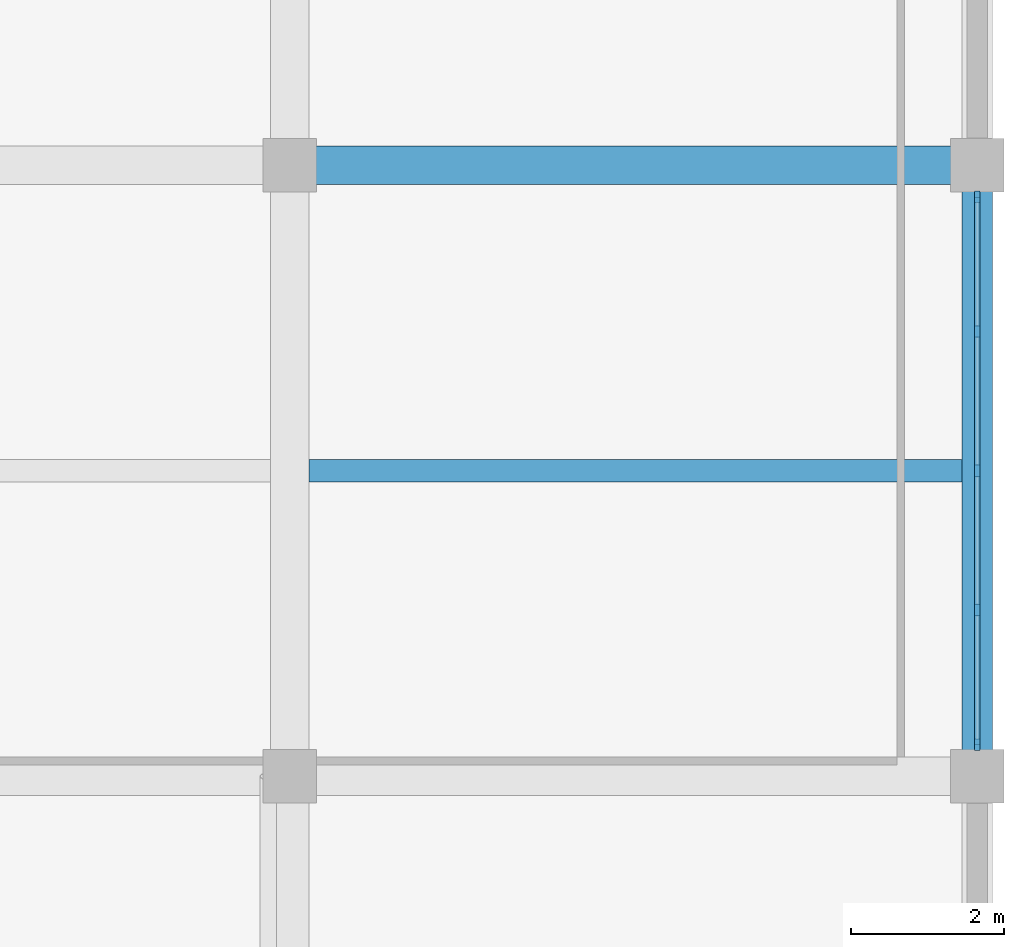
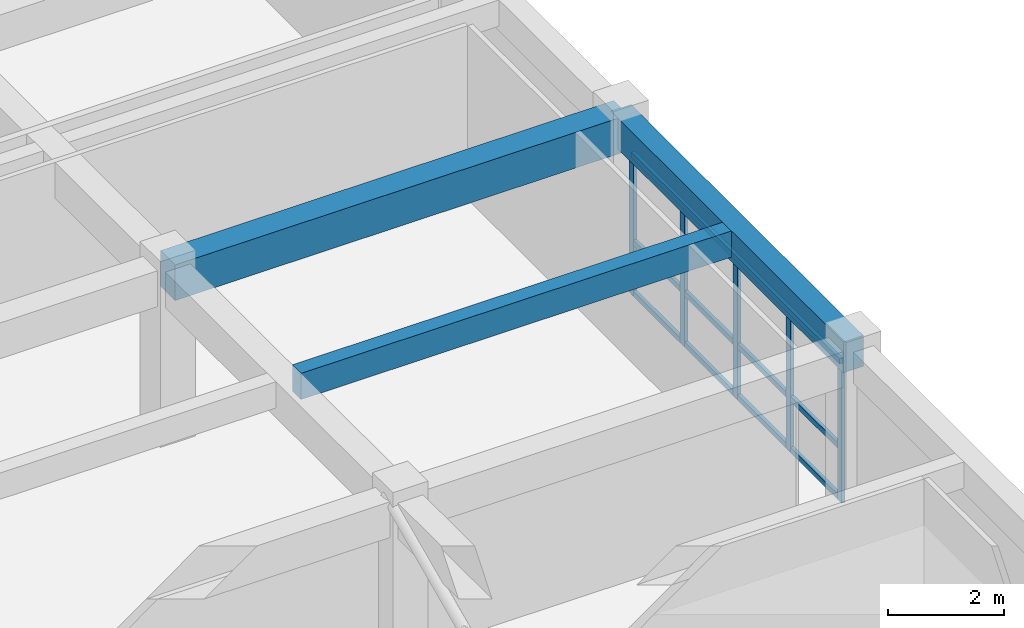
# One storey, part 6 of 14: 8 members, 3 beams, 1 element without a shape of its own.
"""IFC4 building model written with IfcOpenShell, lengths in metres."""

from ifc_helpers import new_model, si_unit, direction, frame, origin, origin_2d, place, context, subcontext, project, spatial, rectangle, extrude, material, material_profile, profile_set, type_object, element, aggregate, save


model = new_model("IFC4")

# Units and contexts
model_context = context("Model", 3, precision=1e-05, world=origin(), true_north=direction((0.0, 1.0)))
body_context = subcontext(model_context, "Body", "Model", "MODEL_VIEW")
ifc_project = project(units=[si_unit("LENGTHUNIT", "METRE"), si_unit("AREAUNIT", "SQUARE_METRE"), si_unit("VOLUMEUNIT", "CUBIC_METRE"), si_unit("PLANEANGLEUNIT", "RADIAN"), si_unit("MASSUNIT", "GRAM", prefix="KILO")], contexts=[model_context])

# Site, building, storey
site_placement = place(None, origin())
site = spatial("IfcSite", under=ifc_project, at=site_placement, CompositionType="ELEMENT")
building_placement = place(site_placement, origin())
building = spatial("IfcBuilding", under=site, at=building_placement, Name="Zaverband Oceanarium and Marine Research Institute", CompositionType="ELEMENT")
storey_placement = place(building_placement, frame((0.0, 0.0, 57.0)))
storey = spatial("IfcBuildingStorey", under=building, at=storey_placement, Name="L14", CompositionType="ELEMENT", Elevation=57.0)

# Beams
ifc_material_1 = material(Name="Concrete C40/50", Category="concrete")
ifc_material_profile_1 = material_profile(ifc_material_1, rectangle(XDim=0.5, YDim=0.75, at=origin_2d()), Name="RC500x750")
ifc_profile_set_1 = profile_set([ifc_material_profile_1], Name="Concrete C40/50")
beam_type_1 = type_object("IfcBeamType", Name="BM-500x750", PredefinedType="BEAM", material=ifc_profile_set_1)
beam_1_placement = place(storey_placement, frame((54.0, 96.0, 3.27490234375), z_axis=(1.0, 0.0, 0.0), x_axis=(0.0, 1.0, 0.0)))
element("IfcBeam", 1, at=beam_1_placement, inside=storey, type_object=beam_type_1, Name="Primary floor girder BM-500x750", PredefinedType="BEAM", context=body_context, shape_type="SweptSolid", body=[
    extrude(rectangle(XDim=0.5, YDim=0.75, at=origin_2d()), origin(), (0.0, 0.0, 1.0), 9.0),
])
ifc_material_profile_2 = material_profile(ifc_material_1, rectangle(XDim=0.300048828125, YDim=0.550048828125, at=origin_2d()), Name="RC300x550")
ifc_profile_set_2 = profile_set([ifc_material_profile_2], Name="Concrete C40/50")
beam_type_2 = type_object("IfcBeamType", Name="JST-300x550", PredefinedType="JOIST", material=ifc_profile_set_2)
beam_2_placement = place(storey_placement, frame((54.25, 92.0, 3.375), z_axis=(1.0, 0.0, 0.0), x_axis=(0.0, 1.0, 0.0)))
element("IfcBeam", 2, at=beam_2_placement, inside=storey, type_object=beam_type_2, Name="Secondary floor joist JST-300x550", PredefinedType="JOIST", context=body_context, shape_type="SweptSolid", body=[
    extrude(rectangle(XDim=0.300048828125, YDim=0.550048828125, at=origin_2d()), origin(), (0.0, 0.0, 1.0), 8.550048828125),
])

# Curtain wall, members
ifc_material_2 = material(Name="Thermally broken anodized aluminium and solar-control glass", Category="aluminium")
curtain_wall_type = type_object("IfcCurtainWallType", Name="CW-UNIT-1800", PredefinedType="NOTDEFINED", material=ifc_material_2)
curtain_wall_placement = place(storey_placement, origin())
curtain_wall = element("IfcCurtainWall", 3, at=curtain_wall_placement, inside=storey, type_object=curtain_wall_type, Name="Unitised glazed curtain wall CW-155", PredefinedType="NOTDEFINED")
ifc_material_3 = material(Name="Thermally broken anodized aluminium", Category="aluminium")
ifc_material_profile_3 = material_profile(ifc_material_3, rectangle(XDim=0.070068359375, YDim=0.14990234375, at=origin_2d()), Name="AL-MUL-70x150")
ifc_profile_set_3 = profile_set([ifc_material_profile_3], Name="Thermally broken anodized aluminium")
member_type_1 = type_object("IfcMemberType", Name="MUL-70x150", PredefinedType="MULLION", material=ifc_profile_set_3)
member_1_placement = place(storey_placement, frame((63.0, 88.4150390625, 0.0), z_axis=(0.0, 0.0, 1.0), x_axis=(1.0, 0.0, 0.0)))
member_1 = element("IfcMember", 4, at=member_1_placement, type_object=member_type_1, Name="Curtain wall vertical mullion MUL-70x150", PredefinedType="MULLION", context=body_context, shape_type="SweptSolid", body=[
    extrude(rectangle(XDim=0.070068359375, YDim=0.14990234375, at=origin_2d()), origin(), (0.0, 0.0, 1.0), 2.97998046875),
])
member_2_placement = place(storey_placement, frame((63.0, 90.177490234375, 0.0), z_axis=(0.0, 0.0, 1.0), x_axis=(1.0, 0.0, 0.0)))
member_2 = element("IfcMember", 5, at=member_2_placement, type_object=member_type_1, Name="Curtain wall vertical mullion MUL-70x150", PredefinedType="MULLION", context=body_context, shape_type="SweptSolid", body=[
    extrude(rectangle(XDim=0.070068359375, YDim=0.14990234375, at=origin_2d()), origin(), (0.0, 0.0, 1.0), 2.97998046875),
])
member_3_placement = place(storey_placement, frame((63.0, 92.0, 0.0), z_axis=(0.0, 0.0, 1.0), x_axis=(1.0, 0.0, 0.0)))
member_3 = element("IfcMember", 6, at=member_3_placement, type_object=member_type_1, Name="Curtain wall vertical mullion MUL-70x150", PredefinedType="MULLION", context=body_context, shape_type="SweptSolid", body=[
    extrude(rectangle(XDim=0.070068359375, YDim=0.14990234375, at=origin_2d()), origin(), (0.0, 0.0, 1.0), 2.97998046875),
])
member_4_placement = place(storey_placement, frame((63.0, 93.822509765625, 0.0), z_axis=(0.0, 0.0, 1.0), x_axis=(1.0, 0.0, 0.0)))
member_4 = element("IfcMember", 7, at=member_4_placement, type_object=member_type_1, Name="Curtain wall vertical mullion MUL-70x150", PredefinedType="MULLION", context=body_context, shape_type="SweptSolid", body=[
    extrude(rectangle(XDim=0.070068359375, YDim=0.14990234375, at=origin_2d()), origin(), (0.0, 0.0, 1.0), 2.97998046875),
])
member_5_placement = place(storey_placement, frame((63.0, 95.5849609375, 0.0), z_axis=(0.0, 0.0, 1.0), x_axis=(1.0, 0.0, 0.0)))
member_5 = element("IfcMember", 8, at=member_5_placement, type_object=member_type_1, Name="Curtain wall vertical mullion MUL-70x150", PredefinedType="MULLION", context=body_context, shape_type="SweptSolid", body=[
    extrude(rectangle(XDim=0.070068359375, YDim=0.14990234375, at=origin_2d()), origin(), (0.0, 0.0, 1.0), 2.97998046875),
])

# Beam
ifc_material_profile_4 = material_profile(ifc_material_1, rectangle(XDim=0.39990234375, YDim=0.64990234375, at=origin_2d()), Name="RC400x650")
ifc_profile_set_4 = profile_set([ifc_material_profile_4], Name="Concrete C40/50")
beam_type_3 = type_object("IfcBeamType", Name="SPN-400x650", PredefinedType="SPANDREL", material=ifc_profile_set_4)
beam_3_placement = place(storey_placement, frame((63.0, 88.0, 3.324951171875), z_axis=(0.0, 1.0, 0.0), x_axis=(-1.0, 0.0, 0.0)))
element("IfcBeam", 9, at=beam_3_placement, inside=storey, type_object=beam_type_3, Name="Perimeter spandrel beam SPN-400x650", PredefinedType="SPANDREL", context=body_context, shape_type="SweptSolid", body=[
    extrude(rectangle(XDim=0.39990234375, YDim=0.64990234375, at=origin_2d()), origin(), (0.0, 0.0, 1.0), 8.0),
])

# Member
ifc_material_profile_5 = material_profile(ifc_material_3, rectangle(XDim=0.070068359375, YDim=0.114990234375, at=origin_2d()), Name="AL-TRN-70x115")
ifc_profile_set_5 = profile_set([ifc_material_profile_5], Name="Thermally broken anodized aluminium")
member_type_2 = type_object("IfcMemberType", Name="TRN-70x115", PredefinedType="USERDEFINED", material=ifc_profile_set_5)
member_6_placement = place(storey_placement, frame((63.0, 88.4150390625, 0.050048828125), z_axis=(0.0, 1.0, 0.0), x_axis=(-1.0, 0.0, 0.0)))
member_6 = element("IfcMember", 10, at=member_6_placement, type_object=member_type_2, Name="Curtain wall horizontal transom TRN-70x115", ObjectType="TRANSOM", PredefinedType="USERDEFINED", context=body_context, shape_type="SweptSolid", body=[
    extrude(rectangle(XDim=0.070068359375, YDim=0.114990234375, at=origin_2d()), origin(), (0.0, 0.0, 1.0), 7.169921875),
])

member_7_placement = place(storey_placement, frame((63.0, 88.4150390625, 1.123046875), z_axis=(0.0, 1.0, 0.0), x_axis=(-1.0, 0.0, 0.0)))
member_7 = element("IfcMember", 11, at=member_7_placement, type_object=member_type_2, Name="Curtain wall horizontal transom TRN-70x115", ObjectType="TRANSOM", PredefinedType="USERDEFINED", context=body_context, shape_type="SweptSolid", body=[
    extrude(rectangle(XDim=0.070068359375, YDim=0.114990234375, at=origin_2d()), origin(), (0.0, 0.0, 1.0), 7.169921875),
])

member_8_placement = place(storey_placement, frame((63.0, 88.4150390625, 2.929931640625), z_axis=(0.0, 1.0, 0.0), x_axis=(-1.0, 0.0, 0.0)))
member_8 = element("IfcMember", 12, at=member_8_placement, type_object=member_type_2, Name="Curtain wall horizontal transom TRN-70x115", ObjectType="TRANSOM", PredefinedType="USERDEFINED", context=body_context, shape_type="SweptSolid", body=[
    extrude(rectangle(XDim=0.070068359375, YDim=0.114990234375, at=origin_2d()), origin(), (0.0, 0.0, 1.0), 7.169921875),
])

aggregate(curtain_wall, [member_1, member_2, member_3, member_4, member_5, member_6, member_7, member_8])

save(model, "model.ifc")
